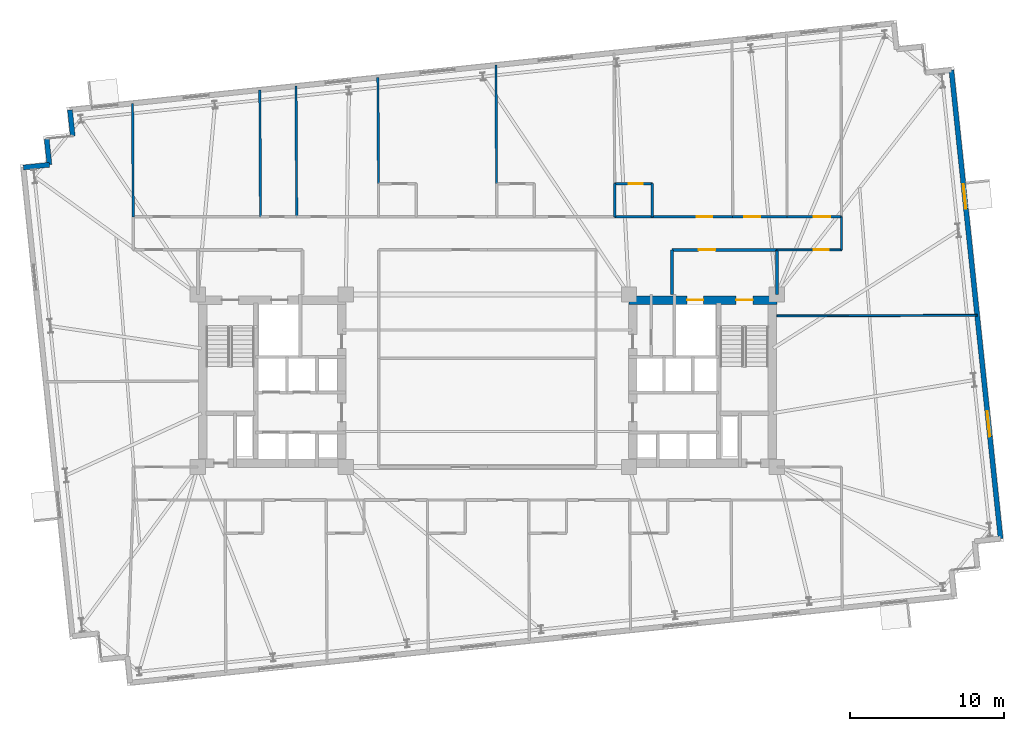
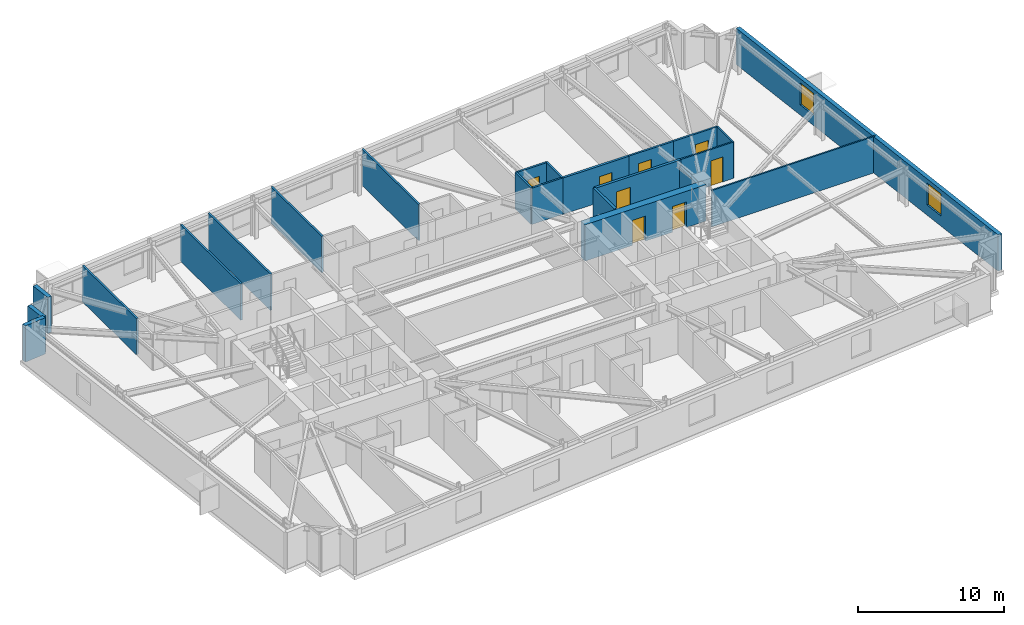
# One storey, part 15 of 18: 23 walls, 8 doors, 2 windows, 10 openings.
"""IFC4 building model written with IfcOpenShell, lengths in metres."""

import ifcopenshell
import ifcopenshell.guid

model = None  # the IFC model being written
_history = None  # IfcOwnerHistory: only IFC2X3 demands one
_inside = {}  # id of a spatial element -> (the spatial element, [elements in it])
_under = {}  # id of a project, library or spatial element -> (it, [spatial elements below it])
_declared = {}  # id of a project -> (the project, [libraries it declares])
_typed = {}  # id of a type object -> (the type object, [elements of that type])
_made_of = {}  # id of a material, layer set ... -> (it, [elements and type objects made of it])


def new_model(schema):
    """Start an empty IFC model of exactly this schema.

    Asked for "IFC4X3", IfcOpenShell would pick the latest addendum, in which some entities
    have other attributes; the version numbers below select the first issue.
    IFC2X3 requires an IfcOwnerHistory on every rooted entity: one is made here for all.
    """
    global model, _history
    if schema == "IFC4X3":
        model = ifcopenshell.file(schema_version=(4, 3, 0, 0))
    else:
        model = ifcopenshell.file(schema=schema)
    _inside.clear()
    _under.clear()
    _declared.clear()
    _typed.clear()
    _made_of.clear()
    _history = None
    if model.schema == "IFC2X3":
        org = make("IfcOrganization", Name="unknown")
        user = make(
            "IfcPersonAndOrganization",
            ThePerson=make("IfcPerson", FamilyName="unknown"),
            TheOrganization=org,
        )
        app = make(
            "IfcApplication",
            ApplicationDeveloper=org,
            Version="unknown",
            ApplicationFullName="unknown",
            ApplicationIdentifier="unknown",
        )
        _history = make(
            "IfcOwnerHistory",
            OwningUser=user,
            OwningApplication=app,
            ChangeAction="ADDED",
            CreationDate=0,
        )
    return model


def make(cls, **values):
    """One entity of the class cls with the attributes given. An attribute that is None is left unset."""
    return model.create_entity(
        cls, **{name: value for name, value in values.items() if value is not None}
    )


def rooted(cls, **values):
    """An entity with a GlobalId (a new one), such as an element, a storey or a relation."""
    return make(cls, GlobalId=ifcopenshell.guid.new(), OwnerHistory=_history, **values)


def si_unit(unit_type, name, prefix=None):
    """IfcSIUnit, for example si_unit("LENGTHUNIT", "METRE", prefix="MILLI")."""
    return make("IfcSIUnit", UnitType=unit_type, Prefix=prefix, Name=name)


def assignment(units):
    """IfcUnitAssignment: the units of a project."""
    return None if units is None else make("IfcUnitAssignment", Units=units)


def point(xyz):
    """IfcCartesianPoint."""
    return None if xyz is None else make("IfcCartesianPoint", Coordinates=xyz)


def direction(xyz):
    """IfcDirection."""
    return None if xyz is None else make("IfcDirection", DirectionRatios=xyz)


def frame(location, z_axis=None, x_axis=None):
    """IfcAxis2Placement3D, a coordinate frame: its origin and axes. An axis left out is left unset."""
    return make(
        "IfcAxis2Placement3D",
        Location=point(location),
        Axis=direction(z_axis),
        RefDirection=direction(x_axis),
    )


def frame_2d(location, x_axis=None):
    """IfcAxis2Placement2D, a coordinate frame in the plane: its origin and x axis."""
    return make(
        "IfcAxis2Placement2D", Location=point(location), RefDirection=direction(x_axis)
    )


def origin():
    """The frame at (0, 0, 0) with its axes left unset."""
    return frame((0.0, 0.0, 0.0))


def place(relative_to, where):
    """IfcLocalPlacement: puts the frame where relative to a parent placement (None: the world)."""
    return make(
        "IfcLocalPlacement", PlacementRelTo=relative_to, RelativePlacement=where
    )


def context(
    kind, dimensions, precision=None, world=None, true_north=None, identifier=None
):
    """IfcGeometricRepresentationContext, for example the 3D "Model" context."""
    return make(
        "IfcGeometricRepresentationContext",
        ContextIdentifier=identifier,
        ContextType=kind,
        CoordinateSpaceDimension=dimensions,
        Precision=precision,
        WorldCoordinateSystem=world,
        TrueNorth=true_north,
    )


def subcontext(parent, identifier, kind, view, scale=None):
    """IfcGeometricRepresentationSubContext, for example "Body" below "Model"."""
    return make(
        "IfcGeometricRepresentationSubContext",
        ContextIdentifier=identifier,
        ContextType=kind,
        ParentContext=parent,
        TargetScale=scale,
        TargetView=view,
    )


def project(units=None, contexts=None):
    """IfcProject with its units and contexts."""
    return rooted(
        "IfcProject",
        Name="project",
        RepresentationContexts=contexts,
        UnitsInContext=assignment(units),
    )


def spatial(cls, under=None, at=None, **own):
    """A site, building, storey or space (cls), placed at a placement, below another one or the project."""
    s = rooted(cls, ObjectPlacement=at, **own)
    if under is not None:
        _under.setdefault(under.id(), (under, []))[1].append(s)
    return s


def profile(cls, at=None, kind="AREA", **sizes):
    """A parametric profile (cls). Its sizes go by their IFC names, for example OverallWidth=200.0."""
    return make(cls, ProfileType=kind, Position=at, **sizes)


def rectangle(**sizes):
    """IfcRectangleProfileDef."""
    return profile("IfcRectangleProfileDef", **sizes)


def extrude(swept, where, along, depth):
    """IfcExtrudedAreaSolid: the profile swept, set in the frame where, extruded along a direction by depth."""
    return make(
        "IfcExtrudedAreaSolid",
        SweptArea=swept,
        Position=where,
        ExtrudedDirection=direction(along),
        Depth=depth,
    )


def shape(context_of_items, identifier, shape_type, items):
    """IfcShapeRepresentation: the items that make up one representation, for example the "Body"."""
    return make(
        "IfcShapeRepresentation",
        ContextOfItems=context_of_items,
        RepresentationIdentifier=identifier,
        RepresentationType=shape_type,
        Items=items,
    )


def material(Name=None, Category=None):
    """IfcMaterial."""
    return make("IfcMaterial", Name=Name, Category=Category)


def layer(
    of_material, thickness, ventilated=None, Name=None, Category=None, Priority=None
):
    """IfcMaterialLayer: one layer of a wall or slab, of a material (None: an air gap)."""
    return make(
        "IfcMaterialLayer",
        Material=of_material,
        LayerThickness=thickness,
        IsVentilated=ventilated,
        Name=Name,
        Category=Category,
        Priority=Priority,
    )


def layer_set(layers, Name=None):
    """IfcMaterialLayerSet."""
    return make("IfcMaterialLayerSet", MaterialLayers=layers, LayerSetName=Name)


def made_of(thing, what):
    """Note that an element or type object is made of a material, layer set ...; save() writes the relation."""
    if what is not None:
        _made_of.setdefault(what.id(), (what, []))[1].append(thing)
    return thing


def type_object(cls, material=None, **own):
    """A type object (cls), such as IfcWallType, which elements share."""
    return made_of(rooted(cls, **own), material)


def element(
    cls,
    number,
    at=None,
    inside=None,
    cuts=None,
    type_object=None,
    material=None,
    context=None,
    identifier="Body",
    shape_type=None,
    held_by="IfcProductDefinitionShape",
    body=None,
    shapes=None,
    **own,
):
    """One element of the class cls, such as IfcWall. Its Tag is "e" and its number.

    at: its placement. inside: the storey or other place that contains it. cuts: it is an
    opening in that element (IfcRelVoidsElement). A single representation is given by context,
    identifier, shape_type and body (its items); several are given by shapes. held_by: the class
    of the entity that holds the representations. save() writes the other relations.
    """
    e = rooted(cls, Tag="e%d" % number, ObjectPlacement=at, **own)
    if body is not None:
        shapes = [shape(context, identifier, shape_type, body)]
    if shapes is not None:
        e.Representation = make(held_by, Representations=shapes)
    if inside is not None:
        _inside.setdefault(inside.id(), (inside, []))[1].append(e)
    if cuts is not None:
        rooted(
            "IfcRelVoidsElement", RelatingBuildingElement=cuts, RelatedOpeningElement=e
        )
    if type_object is not None:
        _typed.setdefault(type_object.id(), (type_object, []))[1].append(e)
    return made_of(e, material)


def fill(opening, filler):
    """IfcRelFillsElement: the door or window that sits in an opening."""
    return rooted(
        "IfcRelFillsElement",
        RelatingOpeningElement=opening,
        RelatedBuildingElement=filler,
    )


def aggregate(whole, parts):
    """IfcRelAggregates: a whole, such as a stair, and the parts it consists of."""
    return rooted("IfcRelAggregates", RelatingObject=whole, RelatedObjects=parts)


def save(model, path):
    """Write the relations noted so far, then the file.

    IfcRelAggregates (storeys below a building ...), IfcRelContainedInSpatialStructure (elements
    in a storey), IfcRelDefinesByType, IfcRelAssociatesMaterial and IfcRelDeclares: one each for
    every whole, place, type object, material and project.
    """
    for whole, parts in _under.values():
        aggregate(whole, parts)
    for where, things in _inside.values():
        rooted(
            "IfcRelContainedInSpatialStructure",
            RelatedElements=things,
            RelatingStructure=where,
        )
    for kind, things in _typed.values():
        rooted("IfcRelDefinesByType", RelatedObjects=things, RelatingType=kind)
    for what, things in _made_of.values():
        rooted("IfcRelAssociatesMaterial", RelatedObjects=things, RelatingMaterial=what)
    for by, libraries in _declared.values():
        rooted("IfcRelDeclares", RelatingContext=by, RelatedDefinitions=libraries)
    model.write(path)


model = new_model("IFC4")

# Units and contexts
model_context = context("Model", 3, precision=1e-05, world=origin(), true_north=direction((0.0, 1.0)))
body_context = subcontext(model_context, "Body", "Model", "MODEL_VIEW")
ifc_project = project(units=[si_unit("LENGTHUNIT", "METRE"), si_unit("AREAUNIT", "SQUARE_METRE"), si_unit("VOLUMEUNIT", "CUBIC_METRE"), si_unit("PLANEANGLEUNIT", "RADIAN"), si_unit("MASSUNIT", "GRAM", prefix="KILO")], contexts=[model_context])

# Site, building, storey
site_placement = place(None, origin())
site = spatial("IfcSite", under=ifc_project, at=site_placement, CompositionType="ELEMENT")
building_placement = place(site_placement, origin())
building = spatial("IfcBuilding", under=site, at=building_placement, Name="Qobustan Lattice House", CompositionType="ELEMENT")
storey_placement = place(building_placement, frame((0.0, 0.0, 119.199951171875)))
storey = spatial("IfcBuildingStorey", under=building, at=storey_placement, Name="L33", CompositionType="ELEMENT", Elevation=119.199951171875)

# Wall, openings, doors
ifc_material_1 = material(Name="Concrete C60/75", Category="concrete")
ifc_layer_1 = layer(ifc_material_1, 0.56005859375)
ifc_layer_set_1 = layer_set([ifc_layer_1], Name="Concrete C60/75")
wall_type_1 = type_object("IfcWallType", Name="WAL-CORE-600", PredefinedType="SHEAR", material=ifc_layer_set_1)
wall_1_placement = place(storey_placement, frame((9.199951171875, 5.239990234375, 0.0), z_axis=(0.0, 0.0, 1.0), x_axis=(1.0, 0.0, 0.0)))
wall_1 = element("IfcWall", 1, at=wall_1_placement, inside=storey, type_object=wall_type_1, Name="L33 split-core shear wall CE-N", PredefinedType="SHEAR", context=body_context, shape_type="SweptSolid", body=[
    extrude(rectangle(XDim=9.60009765625, YDim=0.56005859375, at=frame_2d((4.800048828125, 0.0))), origin(), (0.0, 0.0, 1.0), 3.045166015625),
])
opening_1_placement = place(wall_1_placement, frame((6.949951171875, 0.0, 0.0)))
opening_1 = element("IfcOpeningElement", 2, at=opening_1_placement, cuts=wall_1, Name="Opening SD-01", PredefinedType="OPENING", context=body_context, shape_type="SweptSolid", body=[
    extrude(rectangle(XDim=1.10009765625, YDim=2.14990234375, at=frame_2d((0.550048828125, 1.074951171875))), frame((0.0, 0.2900390625, 0.0), z_axis=(0.0, -1.0, 0.0), x_axis=(1.0, 0.0, 0.0)), (0.0, 0.0, 1.0), 0.580078125),
])
opening_2_placement = place(wall_1_placement, frame((3.77490234375, 0.0, 0.0)))
opening_2 = element("IfcOpeningElement", 3, at=opening_2_placement, cuts=wall_1, Name="Opening LD-01", PredefinedType="OPENING", context=body_context, shape_type="SweptSolid", body=[
    extrude(rectangle(XDim=1.050048828125, YDim=2.10009765625, at=frame_2d((0.52490234375, 1.050048828125))), frame((0.0, 0.2900390625, 0.0), z_axis=(0.0, -1.0, 0.0), x_axis=(1.0, 0.0, 0.0)), (0.0, 0.0, 1.0), 0.580078125),
])
ifc_material_2 = material(Name="Persian walnut timber and steel frame door", Category="steel")
door_type_1 = type_object("IfcDoorType", Name="DOR-LIFT-LD-1050x2100", OperationType="NOTDEFINED", PredefinedType="DOOR", material=ifc_material_2)
door_1_placement = place(opening_2_placement, origin())
door_1 = element("IfcDoor", 4, at=door_1_placement, inside=storey, type_object=door_type_1, Name="L33 firefighting lift FF-E landing door", OperationType="DOUBLE_DOOR_SLIDING", OverallHeight=2.10009765625, OverallWidth=1.050048828125, PredefinedType="DOOR", context=body_context, shape_type="SweptSolid", body=[
    extrude(rectangle(XDim=1.050048828125, YDim=2.10009765625, at=frame_2d((0.52490234375, 1.050048828125))), frame((0.0, 0.02490234375, 0.0), z_axis=(0.0, -1.0, 0.0), x_axis=(1.0, 0.0, 0.0)), (0.0, 0.0, 1.0), 0.050048828125),
])
fill(opening_2, door_1)
ifc_material_3 = material(Name="Persian walnut timber and steel frame door", Category="steel")
door_type_2 = type_object("IfcDoorType", Name="DOR-STAIR-FD-1100x2150", OperationType="NOTDEFINED", PredefinedType="DOOR", material=ifc_material_3)
door_2_placement = place(opening_1_placement, origin())
door_2 = element("IfcDoor", 5, at=door_2_placement, inside=storey, type_object=door_type_2, Name="L33 exit stair ST-E1 fire door", OperationType="SINGLE_SWING_LEFT", OverallHeight=2.14990234375, OverallWidth=1.10009765625, PredefinedType="DOOR", context=body_context, shape_type="SweptSolid", body=[
    extrude(rectangle(XDim=1.10009765625, YDim=2.14990234375, at=frame_2d((0.550048828125, 1.074951171875))), frame((0.0, 0.02490234375, 0.0), z_axis=(0.0, -1.0, 0.0), x_axis=(1.0, 0.0, 0.0)), (0.0, 0.0, 1.0), 0.050048828125),
])
fill(opening_1, door_2)

# Walls
ifc_material_4 = material(Name="Precast concrete C40/50", Category="concrete")
ifc_layer_2 = layer(ifc_material_4, 0.320068359375)
ifc_layer_set_2 = layer_set([ifc_layer_2], Name="Precast concrete C40/50")
wall_type_2 = type_object("IfcWallType", Name="WAL-EXT-STONE-320", PredefinedType="SOLIDWALL", material=ifc_layer_set_2)
for number, where, z_axis, x_axis, name in (
    (6, (-30.13330078125, 13.84912109375, 0.0), (0.0, 0.0, 1.0), (0.994534530939, 0.104408173862, 0.0), "L33 exterior limestone-clad wall 6"),
    (7, (-28.442626953125, 14.026611328125, 0.0), (0.0, 0.0, 1.0), (-0.104550220202, 0.994519608382, 0.0), "L33 exterior limestone-clad wall 7"),
    (8, (-26.9296875, 15.89501953125, 0.0), (0.0, 0.0, 1.0), (-0.104550220202, 0.994519608382, 0.0), "L33 exterior limestone-clad wall 9"),
):
    element("IfcWall", number, at=place(storey_placement, frame(where, z_axis=z_axis, x_axis=x_axis)), inside=storey, type_object=wall_type_2, Name=name, PredefinedType="SOLIDWALL", context=body_context, shape_type="SweptSolid", body=[
        extrude(rectangle(XDim=1.699951171875, YDim=0.320068359375, at=frame_2d((0.85009765625, 0.0))), origin(), (0.0, 0.0, 1.0), 3.045166015625),
    ])

# Wall, openings, windows
wall_2_placement = place(storey_placement, frame((30.134765625, 20.183349609375, 0.0), z_axis=(0.0, 0.0, 1.0), x_axis=(0.104525716865, -0.994522184023, 0.0)))
wall_2 = element("IfcWall", 9, at=wall_2_placement, inside=storey, type_object=wall_type_2, Name="L33 exterior limestone-clad wall 15", PredefinedType="SOLIDWALL", context=body_context, shape_type="SweptSolid", body=[
    extrude(rectangle(XDim=30.60009765625, YDim=0.320068359375, at=frame_2d((15.300048828125, 0.0))), origin(), (0.0, 0.0, 1.0), 3.045166015625),
])
opening_3_placement = place(wall_2_placement, frame((7.45068359375, 0.0, 0.85009765625)))
opening_3 = element("IfcOpeningElement", 10, at=opening_3_placement, cuts=wall_2, Name="Opening WN-13", PredefinedType="OPENING", context=body_context, shape_type="SweptSolid", body=[
    extrude(rectangle(XDim=1.60009765625, YDim=1.85009765625, at=frame_2d((0.800048828125, 0.925048828125))), frame((0.0, 0.169921875, 0.0), z_axis=(0.0, -1.0, 0.0), x_axis=(1.0, 0.0, 0.0)), (0.0, 0.0, 1.0), 0.340087890625),
])
opening_4_placement = place(wall_2_placement, frame((22.28515625, 0.0, 0.85009765625)))
opening_4 = element("IfcOpeningElement", 11, at=opening_4_placement, cuts=wall_2, Name="Opening WN-09", PredefinedType="OPENING", context=body_context, shape_type="SweptSolid", body=[
    extrude(rectangle(XDim=1.64990234375, YDim=1.85009765625, at=frame_2d((0.824951171875, 0.925048828125))), frame((0.0, 0.169921875, 0.0), z_axis=(0.0, -1.0, 0.0), x_axis=(1.0, 0.0, 0.0)), (0.0, 0.0, 1.0), 0.340087890625),
])
ifc_material_5 = material(Name="Double-glazed low-E aluminium window", Category="aluminium")
window_type_1 = type_object("IfcWindowType", Name="WIN-BED-1600x1850", PartitioningType="SINGLE_PANEL", PredefinedType="WINDOW", material=ifc_material_5)
window_1_placement = place(opening_3_placement, origin())
window_1 = element("IfcWindow", 12, at=window_1_placement, inside=storey, type_object=window_type_1, Name="L33 Music and podcast studio window", OverallHeight=1.85009765625, OverallWidth=1.60009765625, PartitioningType="SINGLE_PANEL", PredefinedType="WINDOW", context=body_context, shape_type="SweptSolid", body=[
    extrude(rectangle(XDim=1.60009765625, YDim=1.85009765625, at=frame_2d((0.800048828125, 0.925048828125))), frame((0.0, 0.030029296875, 0.0), z_axis=(0.0, -1.0, 0.0), x_axis=(1.0, 0.0, 0.0)), (0.0, 0.0, 1.0), 0.06005859375),
])
fill(opening_3, window_1)
ifc_material_6 = material(Name="Double-glazed low-E aluminium window", Category="aluminium")
window_type_2 = type_object("IfcWindowType", Name="WIN-STU-1650x1850", PartitioningType="SINGLE_PANEL", PredefinedType="WINDOW", material=ifc_material_6)
window_2_placement = place(opening_4_placement, origin())
window_2 = element("IfcWindow", 13, at=window_2_placement, inside=storey, type_object=window_type_2, Name="L33 Academic seminar room window", OverallHeight=1.85009765625, OverallWidth=1.64990234375, PartitioningType="SINGLE_PANEL", PredefinedType="WINDOW", context=body_context, shape_type="SweptSolid", body=[
    extrude(rectangle(XDim=1.64990234375, YDim=1.85009765625, at=frame_2d((0.824951171875, 0.925048828125))), frame((0.0, 0.030029296875, 0.0), z_axis=(0.0, -1.0, 0.0), x_axis=(1.0, 0.0, 0.0)), (0.0, 0.0, 1.0), 0.06005859375),
])
fill(opening_4, window_2)

# Wall, opening, door
ifc_material_7 = material(Name="Gypsum fireboard acoustic partition", Category="gypsum")
ifc_layer_3 = layer(ifc_material_7, 0.179931640625)
ifc_layer_set_3 = layer_set([ifc_layer_3], Name="Gypsum fireboard acoustic partition")
wall_type_3 = type_object("IfcWallType", Name="WAL-FIRE-180", PredefinedType="PARTITIONING", material=ifc_layer_set_3)
wall_3_placement = place(storey_placement, frame((10.717041015625, 10.64990234375, 0.0), z_axis=(0.0, 0.0, 1.0), x_axis=(1.0, 0.0, 0.0)))
wall_3 = element("IfcWall", 14, at=wall_3_placement, inside=storey, type_object=wall_type_3, Name="L33 interior partition 49", PredefinedType="PARTITIONING", context=body_context, shape_type="SweptSolid", body=[
    extrude(rectangle(XDim=5.216064453125, YDim=0.179931640625, at=frame_2d((2.60791015625, 0.0))), origin(), (0.0, 0.0, 1.0), 3.045166015625),
])
opening_5_placement = place(wall_3_placement, frame((2.8720703125, 0.0, 0.0)))
opening_5 = element("IfcOpeningElement", 15, at=opening_5_placement, cuts=wall_3, Name="Opening FD-02", PredefinedType="OPENING", context=body_context, shape_type="SweptSolid", body=[
    extrude(rectangle(XDim=1.0, YDim=2.14990234375, at=frame_2d((0.5, 1.074951171875))), frame((0.0, 0.099853515625, 0.0), z_axis=(0.0, -1.0, 0.0), x_axis=(1.0, 0.0, 0.0)), (0.0, 0.0, 1.0), 0.199951171875),
])
ifc_material_8 = material(Name="Persian walnut timber and steel frame door", Category="steel")
door_type_3 = type_object("IfcDoorType", Name="DOR-UNIT-FD-1000x2150", OperationType="NOTDEFINED", PredefinedType="DOOR", material=ifc_material_8)
door_3_placement = place(opening_5_placement, origin())
door_3 = element("IfcDoor", 16, at=door_3_placement, inside=storey, type_object=door_type_3, Name="L33 North-east floor corridor to Kitchenette and studio apartment L33-N5 door", OperationType="SINGLE_SWING_LEFT", OverallHeight=2.14990234375, OverallWidth=1.0, PredefinedType="DOOR", context=body_context, shape_type="SweptSolid", body=[
    extrude(rectangle(XDim=1.0, YDim=2.14990234375, at=frame_2d((0.5, 1.074951171875))), frame((0.0, 0.02490234375, 0.0), z_axis=(0.0, -1.0, 0.0), x_axis=(1.0, 0.0, 0.0)), (0.0, 0.0, 1.0), 0.050048828125),
])
fill(opening_5, door_3)

ifc_material_9 = material(Name="Lightweight acoustic stud partition", Category="gypsum")
ifc_layer_4 = layer(ifc_material_9, 0.125)
ifc_layer_set_4 = layer_set([ifc_layer_4], Name="Lightweight acoustic stud partition")
wall_type_4 = type_object("IfcWallType", Name="WAL-PART-125", PredefinedType="PARTITIONING", material=ifc_layer_set_4)
wall_4_placement = place(storey_placement, frame((23.0, 8.5, 0.0), z_axis=(0.0, 0.0, 1.0), x_axis=(-1.0, 0.0, 0.0)))
wall_4 = element("IfcWall", 17, at=wall_4_placement, inside=storey, type_object=wall_type_4, Name="L33 interior partition 44", PredefinedType="PARTITIONING", context=body_context, shape_type="SweptSolid", body=[
    extrude(rectangle(XDim=4.199951171875, YDim=0.125, at=frame_2d((2.10009765625, 0.0))), origin(), (0.0, 0.0, 1.0), 3.045166015625),
])
opening_6_placement = place(wall_4_placement, frame((0.84130859375, 0.0, 0.0)))
opening_6 = element("IfcOpeningElement", 18, at=opening_6_placement, cuts=wall_4, Name="Opening ID-01", PredefinedType="OPENING", context=body_context, shape_type="SweptSolid", body=[
    extrude(rectangle(XDim=0.949951171875, YDim=2.10009765625, at=frame_2d((0.47509765625, 1.050048828125))), frame((0.0, 0.072509765625, 0.0), z_axis=(0.0, -1.0, 0.0), x_axis=(1.0, 0.0, 0.0)), (0.0, 0.0, 1.0), 0.14501953125),
])
ifc_material_10 = material(Name="Persian walnut timber and steel frame door", Category="steel")
door_type_4 = type_object("IfcDoorType", Name="DOR-ROOM-950x2100", OperationType="NOTDEFINED", PredefinedType="DOOR", material=ifc_material_10)
door_4_placement = place(opening_6_placement, origin())
door_4 = element("IfcDoor", 19, at=door_4_placement, inside=storey, type_object=door_type_4, Name="L33 North-east floor corridor to Music and podcast studio door", OperationType="SINGLE_SWING_LEFT", OverallHeight=2.10009765625, OverallWidth=0.949951171875, PredefinedType="DOOR", context=body_context, shape_type="SweptSolid", body=[
    extrude(rectangle(XDim=0.949951171875, YDim=2.10009765625, at=frame_2d((0.47509765625, 1.050048828125))), frame((0.0, 0.02490234375, 0.0), z_axis=(0.0, -1.0, 0.0), x_axis=(1.0, 0.0, 0.0)), (0.0, 0.0, 1.0), 0.050048828125),
])
fill(opening_6, door_4)

# Walls
wall_5_placement = place(storey_placement, frame((23.0, 10.64990234375, 0.0), z_axis=(0.0, 0.0, 1.0), x_axis=(0.0, -1.0, 0.0)))
element("IfcWall", 20, at=wall_5_placement, inside=storey, type_object=wall_type_4, Name="L33 interior partition 45", PredefinedType="PARTITIONING", context=body_context, shape_type="SweptSolid", body=[
    extrude(rectangle(XDim=2.14990234375, YDim=0.125, at=frame_2d((1.074951171875, 0.0))), origin(), (0.0, 0.0, 1.0), 3.045166015625),
])
wall_6_placement = place(storey_placement, frame((18.800048828125, 4.208251953125, 0.0), z_axis=(0.0, 0.0, 1.0), x_axis=(0.9999942944, 0.003378042094, 0.0)))
element("IfcWall", 21, at=wall_6_placement, inside=storey, type_object=wall_type_4, Name="L33 interior partition 80", PredefinedType="PARTITIONING", context=body_context, shape_type="SweptSolid", body=[
    extrude(rectangle(XDim=13.009033203125, YDim=0.125, at=frame_2d((6.50439453125, 0.0))), origin(), (0.0, 0.0, 1.0), 3.045166015625),
])

# Wall, opening, door
ifc_material_11 = material(Name="Acoustic twin-stud gypsum partition", Category="gypsum")
ifc_layer_5 = layer(ifc_material_11, 0.14990234375)
ifc_layer_set_5 = layer_set([ifc_layer_5], Name="Acoustic twin-stud gypsum partition")
wall_type_5 = type_object("IfcWallType", Name="WAL-PART-150", PredefinedType="PARTITIONING", material=ifc_layer_set_5)
wall_7_placement = place(storey_placement, frame((15.93310546875, 10.64990234375, 0.0), z_axis=(0.0, 0.0, 1.0), x_axis=(1.0, 0.0, 0.0)))
wall_7 = element("IfcWall", 22, at=wall_7_placement, inside=storey, type_object=wall_type_5, Name="L33 interior partition 51", PredefinedType="PARTITIONING", context=body_context, shape_type="SweptSolid", body=[
    extrude(rectangle(XDim=3.533447265625, YDim=0.14990234375, at=frame_2d((1.7666015625, 0.0))), origin(), (0.0, 0.0, 1.0), 3.045166015625),
])
opening_7_placement = place(wall_7_placement, frame((0.745361328125, 0.0, 0.0)))
opening_7 = element("IfcOpeningElement", 23, at=opening_7_placement, cuts=wall_7, Name="Opening ID-02", PredefinedType="OPENING", context=body_context, shape_type="SweptSolid", body=[
    extrude(rectangle(XDim=1.050048828125, YDim=2.14990234375, at=frame_2d((0.52490234375, 1.074951171875))), frame((0.0, 0.0849609375, 0.0), z_axis=(0.0, -1.0, 0.0), x_axis=(1.0, 0.0, 0.0)), (0.0, 0.0, 1.0), 0.169921875),
])
ifc_material_12 = material(Name="Persian walnut timber and steel frame door", Category="steel")
door_type_5 = type_object("IfcDoorType", Name="DOR-STUDY-1050x2150", OperationType="NOTDEFINED", PredefinedType="DOOR", material=ifc_material_12)
door_5_placement = place(opening_7_placement, origin())
door_5 = element("IfcDoor", 24, at=door_5_placement, inside=storey, type_object=door_type_5, Name="L33 North-east floor corridor to Focus study room N6A door", OperationType="SINGLE_SWING_RIGHT", OverallHeight=2.14990234375, OverallWidth=1.050048828125, PredefinedType="DOOR", context=body_context, shape_type="SweptSolid", body=[
    extrude(rectangle(XDim=1.050048828125, YDim=2.14990234375, at=frame_2d((0.52490234375, 1.074951171875))), frame((0.0, 0.02490234375, 0.0), z_axis=(0.0, -1.0, 0.0), x_axis=(1.0, 0.0, 0.0)), (0.0, 0.0, 1.0), 0.050048828125),
])
fill(opening_7, door_5)

wall_8_placement = place(storey_placement, frame((19.466552734375, 10.64990234375, 0.0), z_axis=(0.0, 0.0, 1.0), x_axis=(1.0, 0.0, 0.0)))
wall_8 = element("IfcWall", 25, at=wall_8_placement, inside=storey, type_object=wall_type_5, Name="L33 interior partition 52", PredefinedType="PARTITIONING", context=body_context, shape_type="SweptSolid", body=[
    extrude(rectangle(XDim=3.533447265625, YDim=0.14990234375, at=frame_2d((1.7666015625, 0.0))), origin(), (0.0, 0.0, 1.0), 3.045166015625),
])
opening_8_placement = place(wall_8_placement, frame((1.738037109375, 0.0, 0.0)))
opening_8 = element("IfcOpeningElement", 26, at=opening_8_placement, cuts=wall_8, Name="Opening ID-02", PredefinedType="OPENING", context=body_context, shape_type="SweptSolid", body=[
    extrude(rectangle(XDim=1.050048828125, YDim=2.14990234375, at=frame_2d((0.52490234375, 1.074951171875))), frame((0.0, 0.0849609375, 0.0), z_axis=(0.0, -1.0, 0.0), x_axis=(1.0, 0.0, 0.0)), (0.0, 0.0, 1.0), 0.169921875),
])
door_6_placement = place(opening_8_placement, origin())
door_6 = element("IfcDoor", 27, at=door_6_placement, inside=storey, type_object=door_type_5, Name="L33 North-east floor corridor to Focus study room N6B door", OperationType="SINGLE_SWING_LEFT", OverallHeight=2.14990234375, OverallWidth=1.050048828125, PredefinedType="DOOR", context=body_context, shape_type="SweptSolid", body=[
    extrude(rectangle(XDim=1.050048828125, YDim=2.14990234375, at=frame_2d((0.52490234375, 1.074951171875))), frame((0.0, 0.02490234375, 0.0), z_axis=(0.0, -1.0, 0.0), x_axis=(1.0, 0.0, 0.0)), (0.0, 0.0, 1.0), 0.050048828125),
])
fill(opening_8, door_6)

# Walls
wall_9_placement = place(storey_placement, frame((-23.0439453125, 18.0126953125, 0.0), z_axis=(0.0, 0.0, 1.0), x_axis=(0.005968459246, -0.999982188588, 0.0)))
element("IfcWall", 28, at=wall_9_placement, inside=storey, type_object=wall_type_5, Name="L33 interior partition 79", PredefinedType="PARTITIONING", context=body_context, shape_type="SweptSolid", body=[
    extrude(rectangle(XDim=7.363037109375, YDim=0.14990234375, at=frame_2d((3.681640625, 0.0))), origin(), (0.0, 0.0, 1.0), 3.045166015625),
])
wall_10_placement = place(storey_placement, frame((-7.11083984375, 19.6875, 0.0), z_axis=(0.0, 0.0, 1.0), x_axis=(0.006380360007, -0.999979645296, 0.0)))
element("IfcWall", 29, at=wall_10_placement, inside=storey, type_object=wall_type_5, Name="L33 interior partition 85", PredefinedType="PARTITIONING", context=body_context, shape_type="SweptSolid", body=[
    extrude(rectangle(XDim=6.8876953125, YDim=0.14990234375, at=frame_2d((3.44384765625, 0.0))), origin(), (0.0, 0.0, 1.0), 3.045166015625),
])
wall_11_placement = place(storey_placement, frame((0.55615234375, 20.493408203125, 0.0), z_axis=(0.0, 0.0, 1.0), x_axis=(0.005712016487, -0.999983686301, 0.0)))
element("IfcWall", 30, at=wall_11_placement, inside=storey, type_object=wall_type_5, Name="L33 interior partition 89", PredefinedType="PARTITIONING", context=body_context, shape_type="SweptSolid", body=[
    extrude(rectangle(XDim=7.693603515625, YDim=0.14990234375, at=frame_2d((3.8466796875, 0.0))), origin(), (0.0, 0.0, 1.0), 3.045166015625),
])

# Wall, opening, door
ifc_material_13 = material(Name="Two-hour gypsum fireboard acoustic partition", Category="gypsum")
ifc_layer_6 = layer(ifc_material_13, 0.199951171875)
ifc_layer_set_6 = layer_set([ifc_layer_6], Name="Two-hour gypsum fireboard acoustic partition")
wall_type_6 = type_object("IfcWallType", Name="WAL-PROT-200", PredefinedType="PARTITIONING", material=ifc_layer_set_6)
wall_12_placement = place(storey_placement, frame((18.800048828125, 8.5, 0.0), z_axis=(0.0, 0.0, 1.0), x_axis=(-1.0, 0.0, 0.0)))
wall_12 = element("IfcWall", 31, at=wall_12_placement, inside=storey, type_object=wall_type_6, Name="L33 interior partition 20", PredefinedType="PARTITIONING", context=body_context, shape_type="SweptSolid", body=[
    extrude(rectangle(XDim=6.800048828125, YDim=0.199951171875, at=frame_2d((3.39990234375, 0.0))), origin(), (0.0, 0.0, 1.0), 3.045166015625),
])
opening_9_placement = place(wall_12_placement, frame((3.985107421875, 0.0, 0.0)))
opening_9 = element("IfcOpeningElement", 32, at=opening_9_placement, cuts=wall_12, Name="Opening SD-01", PredefinedType="OPENING", context=body_context, shape_type="SweptSolid", body=[
    extrude(rectangle(XDim=1.10009765625, YDim=2.14990234375, at=frame_2d((0.550048828125, 1.074951171875))), frame((0.0, 0.10986328125, 0.0), z_axis=(0.0, -1.0, 0.0), x_axis=(1.0, 0.0, 0.0)), (0.0, 0.0, 1.0), 0.219970703125),
])
door_7_placement = place(opening_9_placement, origin())
door_7 = element("IfcDoor", 33, at=door_7_placement, inside=storey, type_object=door_type_2, Name="L33 East firefighting lift lobby to North-east floor corridor door", OperationType="SINGLE_SWING_LEFT", OverallHeight=2.14990234375, OverallWidth=1.10009765625, PredefinedType="DOOR", context=body_context, shape_type="SweptSolid", body=[
    extrude(rectangle(XDim=1.10009765625, YDim=2.14990234375, at=frame_2d((0.550048828125, 1.074951171875))), frame((0.0, 0.02490234375, 0.0), z_axis=(0.0, -1.0, 0.0), x_axis=(1.0, 0.0, 0.0)), (0.0, 0.0, 1.0), 0.050048828125),
])
fill(opening_9, door_7)

# Walls
wall_13_placement = place(storey_placement, frame((12.0, 8.5, 0.0), z_axis=(0.0, 0.0, 1.0), x_axis=(0.0, -1.0, 0.0)))
element("IfcWall", 34, at=wall_13_placement, inside=storey, type_object=wall_type_6, Name="L33 interior partition 21", PredefinedType="PARTITIONING", context=body_context, shape_type="SweptSolid", body=[
    extrude(rectangle(XDim=2.89990234375, YDim=0.199951171875, at=frame_2d((1.449951171875, 0.0))), origin(), (0.0, 0.0, 1.0), 3.045166015625),
])
wall_14_placement = place(storey_placement, frame((18.800048828125, 5.60009765625, 0.0), z_axis=(0.0, 0.0, 1.0), x_axis=(0.0, 1.0, 0.0)))
element("IfcWall", 35, at=wall_14_placement, inside=storey, type_object=wall_type_6, Name="L33 interior partition 22", PredefinedType="PARTITIONING", context=body_context, shape_type="SweptSolid", body=[
    extrude(rectangle(XDim=2.89990234375, YDim=0.199951171875, at=frame_2d((1.449951171875, 0.0))), origin(), (0.0, 0.0, 1.0), 2.530029296875),
])
ifc_material_14 = material(Name="Moisture-resistant acoustic plumbing wall", Category="gypsum")
ifc_layer_7 = layer(ifc_material_14, 0.14990234375)
ifc_layer_set_7 = layer_set([ifc_layer_7], Name="Moisture-resistant acoustic plumbing wall")
wall_type_7 = type_object("IfcWallType", Name="WAL-WET-150", PredefinedType="PLUMBINGWALL", material=ifc_layer_set_7)
wall_15_placement = place(storey_placement, frame((8.26708984375, 10.64990234375, 0.0), z_axis=(0.0, 0.0, 1.0), x_axis=(1.0, 0.0, 0.0)))
element("IfcWall", 36, at=wall_15_placement, inside=storey, type_object=wall_type_7, Name="L33 interior partition 50", PredefinedType="PLUMBINGWALL", context=body_context, shape_type="SweptSolid", body=[
    extrude(rectangle(XDim=2.449951171875, YDim=0.14990234375, at=frame_2d((1.22509765625, 0.0))), origin(), (0.0, 0.0, 1.0), 3.045166015625),
])
wall_16_placement = place(storey_placement, frame((-14.77685546875, 18.881591796875, 0.0), z_axis=(0.0, 0.0, 1.0), x_axis=(0.005338477179, -0.999985750229, 0.0)))
element("IfcWall", 37, at=wall_16_placement, inside=storey, type_object=wall_type_7, Name="L33 interior partition 83", PredefinedType="PLUMBINGWALL", context=body_context, shape_type="SweptSolid", body=[
    extrude(rectangle(XDim=8.231689453125, YDim=0.14990234375, at=frame_2d((4.11572265625, 0.0))), origin(), (0.0, 0.0, 1.0), 3.045166015625),
])
wall_17_placement = place(storey_placement, frame((-12.427001953125, 19.128662109375, 0.0), z_axis=(0.0, 0.0, 1.0), x_axis=(0.005182918666, -0.999986568587, 0.0)))
element("IfcWall", 38, at=wall_17_placement, inside=storey, type_object=wall_type_7, Name="L33 interior partition 84", PredefinedType="PLUMBINGWALL", context=body_context, shape_type="SweptSolid", body=[
    extrude(rectangle(XDim=8.478759765625, YDim=0.14990234375, at=frame_2d((4.2392578125, 0.0))), origin(), (0.0, 0.0, 1.0), 3.045166015625),
])
wall_18_placement = place(storey_placement, frame((8.26708984375, 12.800048828125, 0.0), z_axis=(0.0, 0.0, 1.0), x_axis=(0.0, -1.0, 0.0)))
element("IfcWall", 39, at=wall_18_placement, inside=storey, type_object=wall_type_7, Name="L33 interior partition 94", PredefinedType="PLUMBINGWALL", context=body_context, shape_type="SweptSolid", body=[
    extrude(rectangle(XDim=2.150146484375, YDim=0.14990234375, at=frame_2d((1.0751953125, 0.0))), origin(), (0.0, 0.0, 1.0), 3.045166015625),
])

# Wall, opening, door
wall_19_placement = place(storey_placement, frame((10.717041015625, 12.800048828125, 0.0), z_axis=(0.0, 0.0, 1.0), x_axis=(-1.0, 0.0, 0.0)))
wall_19 = element("IfcWall", 40, at=wall_19_placement, inside=storey, type_object=wall_type_7, Name="L33 interior partition 95", PredefinedType="PLUMBINGWALL", context=body_context, shape_type="SweptSolid", body=[
    extrude(rectangle(XDim=2.449951171875, YDim=0.14990234375, at=frame_2d((1.22509765625, 0.0))), origin(), (0.0, 0.0, 1.0), 3.045166015625),
])
opening_10_placement = place(wall_19_placement, frame((0.62890625, 0.0, 0.0)))
opening_10 = element("IfcOpeningElement", 41, at=opening_10_placement, cuts=wall_19, Name="Opening WD-01", PredefinedType="OPENING", context=body_context, shape_type="SweptSolid", body=[
    extrude(rectangle(XDim=0.89990234375, YDim=2.10009765625, at=frame_2d((0.449951171875, 1.050048828125))), frame((0.0, 0.0849609375, 0.0), z_axis=(0.0, -1.0, 0.0), x_axis=(1.0, 0.0, 0.0)), (0.0, 0.0, 1.0), 0.169921875),
])
ifc_material_15 = material(Name="Persian walnut timber and steel frame door", Category="steel")
door_type_6 = type_object("IfcDoorType", Name="DOR-WET-900x2100", OperationType="NOTDEFINED", PredefinedType="DOOR", material=ifc_material_15)
door_8_placement = place(opening_10_placement, origin())
door_8 = element("IfcDoor", 42, at=door_8_placement, inside=storey, type_object=door_type_6, Name="L33 Kitchenette and studio apartment L33-N5 to En-suite bathroom L33-N5 door", OperationType="SINGLE_SWING_RIGHT", OverallHeight=2.10009765625, OverallWidth=0.89990234375, PredefinedType="DOOR", context=body_context, shape_type="SweptSolid", body=[
    extrude(rectangle(XDim=0.89990234375, YDim=2.10009765625, at=frame_2d((0.449951171875, 1.050048828125))), frame((0.0, 0.02490234375, 0.0), z_axis=(0.0, -1.0, 0.0), x_axis=(1.0, 0.0, 0.0)), (0.0, 0.0, 1.0), 0.050048828125),
])
fill(opening_10, door_8)

# Wall
wall_20_placement = place(storey_placement, frame((10.717041015625, 10.64990234375, 0.0), z_axis=(0.0, 0.0, 1.0), x_axis=(0.0, 1.0, 0.0)))
element("IfcWall", 43, at=wall_20_placement, inside=storey, type_object=wall_type_7, Name="L33 interior partition 96", PredefinedType="PLUMBINGWALL", context=body_context, shape_type="SweptSolid", body=[
    extrude(rectangle(XDim=2.150146484375, YDim=0.14990234375, at=frame_2d((1.0751953125, 0.0))), origin(), (0.0, 0.0, 1.0), 3.045166015625),
])

save(model, "model.ifc")
